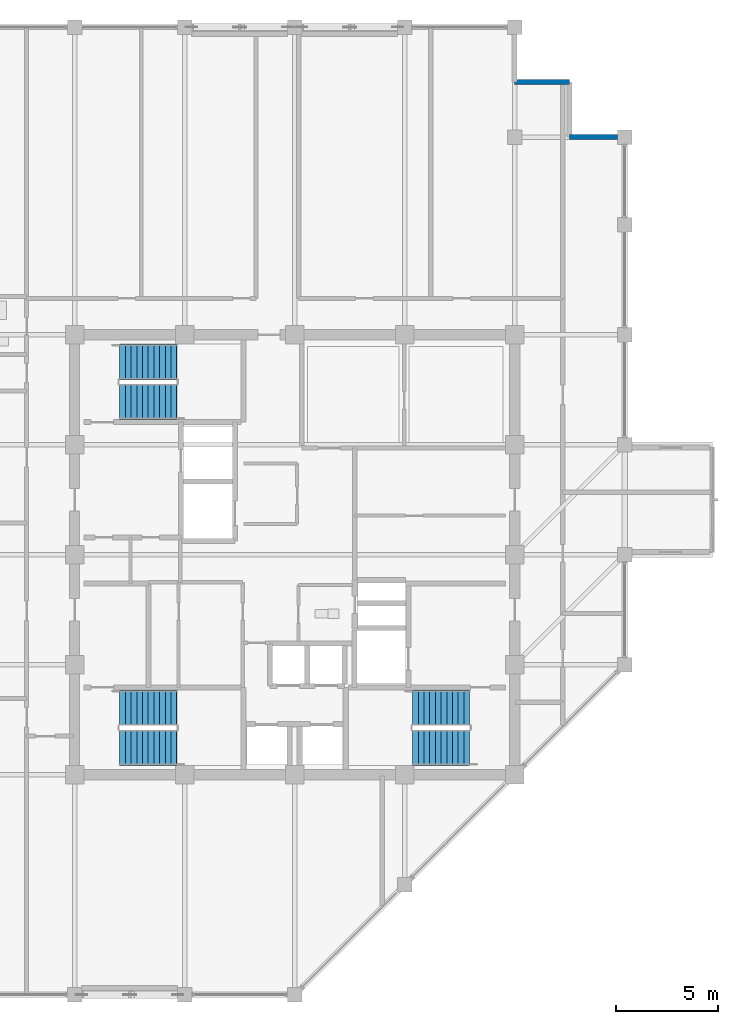
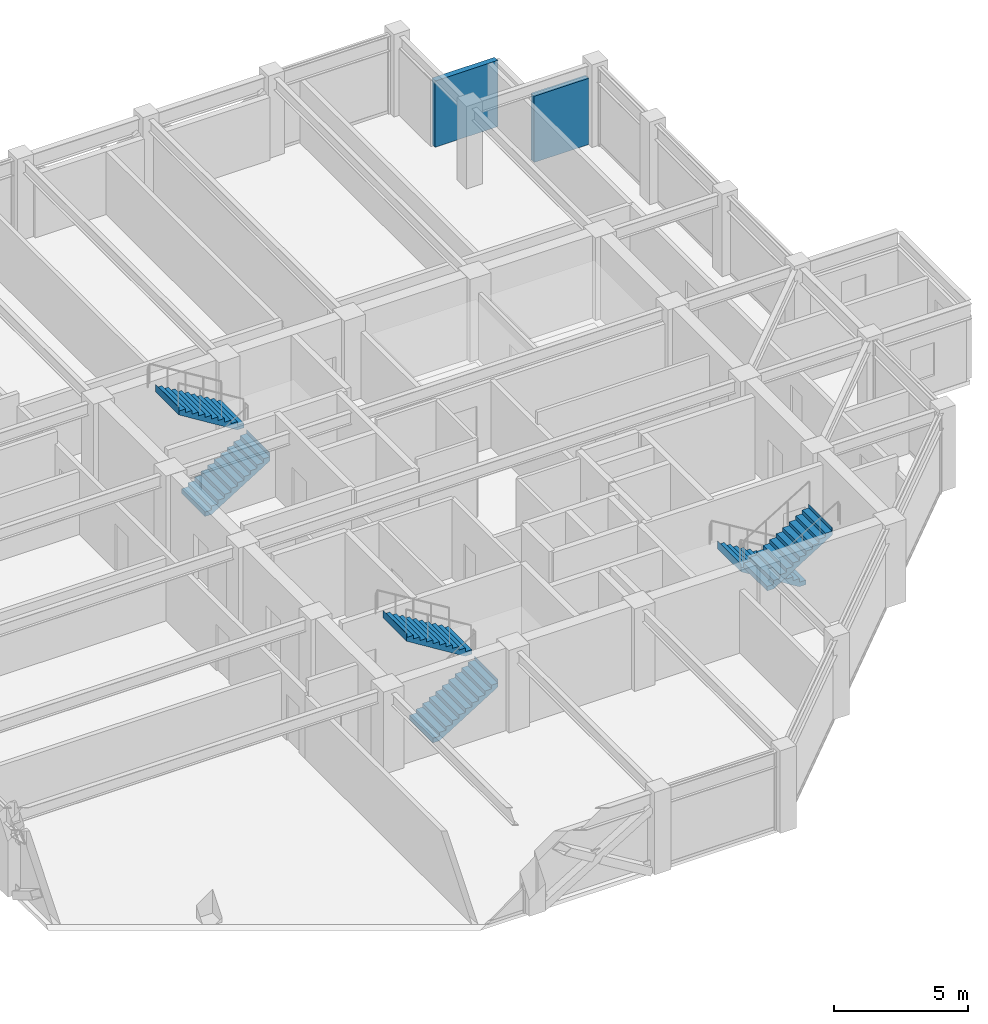
# One storey, part 27 of 30: 6 stair flights, 2 walls, 3 elements without a shape of their own.
"""IFC4 building model written with IfcOpenShell, lengths in metres."""

from ifc_helpers import new_model, si_unit, direction, frame, frame_2d, origin, place, context, subcontext, project, spatial, polyline, rectangle, outline, extrude, material, layer, layer_set, type_object, element, aggregate, save


model = new_model("IFC4")

# Units and contexts
model_context = context("Model", 3, precision=1e-05, world=origin(), true_north=direction((0.0, 1.0)))
body_context = subcontext(model_context, "Body", "Model", "MODEL_VIEW")
ifc_project = project(units=[si_unit("LENGTHUNIT", "METRE"), si_unit("AREAUNIT", "SQUARE_METRE"), si_unit("VOLUMEUNIT", "CUBIC_METRE"), si_unit("PLANEANGLEUNIT", "RADIAN"), si_unit("MASSUNIT", "GRAM", prefix="KILO")], contexts=[model_context])

# Site, building, storey
site_placement = place(None, origin())
site = spatial("IfcSite", under=ifc_project, at=site_placement, CompositionType="ELEMENT")
building_placement = place(site_placement, origin())
building = spatial("IfcBuilding", under=site, at=building_placement, Name="Surkhivell Harbour Commons", CompositionType="ELEMENT")
storey_placement = place(building_placement, frame((0.0, 0.0, 307.5)))
storey = spatial("IfcBuildingStorey", under=building, at=storey_placement, Name="L80", CompositionType="ELEMENT", Elevation=307.5)

# Walls
ifc_material_1 = material(Name="Bronze-ochre cassette precast concrete C45/55", Category="concrete")
ifc_layer = layer(ifc_material_1, 0.239990234375)
ifc_layer_set = layer_set([ifc_layer], Name="Bronze-ochre cassette precast concrete C45/55")
wall_type = type_object("IfcWallType", Name="WAL-EXT-OCH240", PredefinedType="STANDARD", material=ifc_layer_set)
wall_1_placement = place(storey_placement, frame((15.85205078125, 20.5, 0.0), z_axis=(0.0, 0.0, 1.0), x_axis=(-1.0, 0.0, 0.0)))
element("IfcWall", 1, at=wall_1_placement, inside=storey, type_object=wall_type, Name="L80 Serrated Corner Facade Wall 03", PredefinedType="STANDARD", context=body_context, shape_type="SweptSolid", body=[
    extrude(rectangle(XDim=2.35205078125, YDim=0.239990234375, at=frame_2d((1.176025390625, 0.0))), origin(), (0.0, 0.0, 1.0), 3.012939453125),
])
wall_2_placement = place(storey_placement, frame((13.5, 23.199951171875, 0.0), z_axis=(0.0, 0.0, 1.0), x_axis=(-1.0, 0.0, 0.0)))
element("IfcWall", 2, at=wall_2_placement, inside=storey, type_object=wall_type, Name="L80 Serrated Corner Facade Wall 05", PredefinedType="STANDARD", context=body_context, shape_type="SweptSolid", body=[
    extrude(rectangle(XDim=2.699951171875, YDim=0.239990234375, at=frame_2d((1.35009765625, 0.0))), origin(), (0.0, 0.0, 1.0), 3.012939453125),
])

# Stair, stair flights
ifc_material_2 = material(Name="Precast concrete C45/55", Category="concrete")
stair_type = type_object("IfcStairType", Name="STR-DL-375", PredefinedType="HALF_TURN_STAIR", material=ifc_material_2)
stair_1_placement = place(storey_placement, origin())
stair_1 = element("IfcStair", 3, at=stair_1_placement, inside=storey, type_object=stair_type, Name="L80 Core Exit Stair ST1", PredefinedType="HALF_TURN_STAIR")
stair_flight_type = type_object("IfcStairFlightType", Name="STF-DL-375", PredefinedType="STRAIGHT", material=ifc_material_2)
stair_flight_1_placement = place(storey_placement, frame((-8.590087890625, 7.514892578125, 0.0), z_axis=(0.0, 0.0, 1.0), x_axis=(1.0, 0.0, 0.0)))
stair_flight_1 = element("IfcStairFlight", 4, at=stair_flight_1_placement, type_object=stair_flight_type, Name="ST1 flight 1", NumberOfRisers=11, NumberOfTreads=10, PredefinedType="STRAIGHT", RiserHeight=0.170454545, TreadLength=0.28, context=body_context, shape_type="SweptSolid", body=[
    extrude(outline(polyline([(-0.0029296875, -0.034912109375), (-0.0029296875, 0.0), (0.0, 0.0), (0.0, 0.17041015625), (0.280029296875, 0.17041015625), (0.280029296875, 0.3408203125), (0.56005859375, 0.3408203125), (0.56005859375, 0.511474609375), (0.840087890625, 0.511474609375), (0.840087890625, 0.681884765625), (1.1201171875, 0.681884765625), (1.1201171875, 0.852294921875), (1.39990234375, 0.852294921875), (1.39990234375, 1.022705078125), (1.679931640625, 1.022705078125), (1.679931640625, 1.193115234375), (1.9599609375, 1.193115234375), (1.9599609375, 1.363525390625), (2.239990234375, 1.363525390625), (2.239990234375, 1.5341796875), (2.52001953125, 1.5341796875), (2.52001953125, 1.70458984375), (2.800048828125, 1.70458984375), (2.800048828125, 1.875), (2.802978515625, 1.875), (2.802978515625, 1.529052734375), (0.288330078125, -0.034912109375), (-0.0029296875, -0.034912109375)])), frame((0.0, 0.875, 0.0), z_axis=(0.0, -1.0, 0.0), x_axis=(1.0, 0.0, 0.0)), (0.0, 0.0, 1.0), 1.75),
])
stair_flight_2_placement = place(storey_placement, frame((-5.7900390625, 9.465087890625, 1.875), z_axis=(0.0, 0.0, 1.0), x_axis=(-1.0, 0.0, 0.0)))
stair_flight_2 = element("IfcStairFlight", 5, at=stair_flight_2_placement, type_object=stair_flight_type, Name="ST1 flight 2", NumberOfRisers=11, NumberOfTreads=10, PredefinedType="STRAIGHT", RiserHeight=0.170454545, TreadLength=0.28, context=body_context, shape_type="SweptSolid", body=[
    extrude(outline(polyline([(-0.0029296875, -0.034912109375), (-0.0029296875, 0.0), (0.0, 0.0), (0.0, 0.17041015625), (0.280029296875, 0.17041015625), (0.280029296875, 0.3408203125), (0.56005859375, 0.3408203125), (0.56005859375, 0.511474609375), (0.840087890625, 0.511474609375), (0.840087890625, 0.681884765625), (1.1201171875, 0.681884765625), (1.1201171875, 0.852294921875), (1.39990234375, 0.852294921875), (1.39990234375, 1.022705078125), (1.679931640625, 1.022705078125), (1.679931640625, 1.193115234375), (1.9599609375, 1.193115234375), (1.9599609375, 1.363525390625), (2.239990234375, 1.363525390625), (2.239990234375, 1.5341796875), (2.52001953125, 1.5341796875), (2.52001953125, 1.70458984375), (2.800048828125, 1.70458984375), (2.800048828125, 1.875), (2.802978515625, 1.875), (2.802978515625, 1.529052734375), (0.288330078125, -0.034912109375), (-0.0029296875, -0.034912109375)])), frame((0.0, 0.875, 0.0), z_axis=(0.0, -1.0, 0.0), x_axis=(1.0, 0.0, 0.0)), (0.0, 0.0, 1.0), 1.75),
])
aggregate(stair_1, [stair_flight_1, stair_flight_2])

stair_2_placement = place(storey_placement, origin())
stair_2 = element("IfcStair", 6, at=stair_2_placement, inside=storey, type_object=stair_type, Name="L80 Core Exit Stair ST2", PredefinedType="HALF_TURN_STAIR")
stair_flight_3_placement = place(storey_placement, frame((8.590087890625, -7.514892578125, 0.0), z_axis=(0.0, 0.0, 1.0), x_axis=(-1.0, 0.0, 0.0)))
stair_flight_3 = element("IfcStairFlight", 7, at=stair_flight_3_placement, type_object=stair_flight_type, Name="ST2 flight 1", NumberOfRisers=11, NumberOfTreads=10, PredefinedType="STRAIGHT", RiserHeight=0.170454545, TreadLength=0.28, context=body_context, shape_type="SweptSolid", body=[
    extrude(outline(polyline([(-0.0029296875, -0.034912109375), (-0.0029296875, 0.0), (0.0, 0.0), (0.0, 0.17041015625), (0.280029296875, 0.17041015625), (0.280029296875, 0.3408203125), (0.56005859375, 0.3408203125), (0.56005859375, 0.511474609375), (0.840087890625, 0.511474609375), (0.840087890625, 0.681884765625), (1.1201171875, 0.681884765625), (1.1201171875, 0.852294921875), (1.39990234375, 0.852294921875), (1.39990234375, 1.022705078125), (1.679931640625, 1.022705078125), (1.679931640625, 1.193115234375), (1.9599609375, 1.193115234375), (1.9599609375, 1.363525390625), (2.239990234375, 1.363525390625), (2.239990234375, 1.5341796875), (2.52001953125, 1.5341796875), (2.52001953125, 1.70458984375), (2.800048828125, 1.70458984375), (2.800048828125, 1.875), (2.802978515625, 1.875), (2.802978515625, 1.529052734375), (0.288330078125, -0.034912109375), (-0.0029296875, -0.034912109375)])), frame((0.0, 0.875, 0.0), z_axis=(0.0, -1.0, 0.0), x_axis=(1.0, 0.0, 0.0)), (0.0, 0.0, 1.0), 1.75),
])
stair_flight_4_placement = place(storey_placement, frame((5.7900390625, -9.465087890625, 1.875), z_axis=(0.0, 0.0, 1.0), x_axis=(1.0, 0.0, 0.0)))
stair_flight_4 = element("IfcStairFlight", 8, at=stair_flight_4_placement, type_object=stair_flight_type, Name="ST2 flight 2", NumberOfRisers=11, NumberOfTreads=10, PredefinedType="STRAIGHT", RiserHeight=0.170454545, TreadLength=0.28, context=body_context, shape_type="SweptSolid", body=[
    extrude(outline(polyline([(-0.0029296875, -0.034912109375), (-0.0029296875, 0.0), (0.0, 0.0), (0.0, 0.17041015625), (0.280029296875, 0.17041015625), (0.280029296875, 0.3408203125), (0.56005859375, 0.3408203125), (0.56005859375, 0.511474609375), (0.840087890625, 0.511474609375), (0.840087890625, 0.681884765625), (1.1201171875, 0.681884765625), (1.1201171875, 0.852294921875), (1.39990234375, 0.852294921875), (1.39990234375, 1.022705078125), (1.679931640625, 1.022705078125), (1.679931640625, 1.193115234375), (1.9599609375, 1.193115234375), (1.9599609375, 1.363525390625), (2.239990234375, 1.363525390625), (2.239990234375, 1.5341796875), (2.52001953125, 1.5341796875), (2.52001953125, 1.70458984375), (2.800048828125, 1.70458984375), (2.800048828125, 1.875), (2.802978515625, 1.875), (2.802978515625, 1.529052734375), (0.288330078125, -0.034912109375), (-0.0029296875, -0.034912109375)])), frame((0.0, 0.875, 0.0), z_axis=(0.0, -1.0, 0.0), x_axis=(1.0, 0.0, 0.0)), (0.0, 0.0, 1.0), 1.75),
])
aggregate(stair_2, [stair_flight_3, stair_flight_4])

stair_3_placement = place(storey_placement, origin())
stair_3 = element("IfcStair", 9, at=stair_3_placement, inside=storey, type_object=stair_type, Name="L80 Core Exit Stair ST3", PredefinedType="HALF_TURN_STAIR")
stair_flight_5_placement = place(storey_placement, frame((-8.590087890625, -9.465087890625, 0.0), z_axis=(0.0, 0.0, 1.0), x_axis=(1.0, 0.0, 0.0)))
stair_flight_5 = element("IfcStairFlight", 10, at=stair_flight_5_placement, type_object=stair_flight_type, Name="ST3 flight 1", NumberOfRisers=11, NumberOfTreads=10, PredefinedType="STRAIGHT", RiserHeight=0.170454545, TreadLength=0.28, context=body_context, shape_type="SweptSolid", body=[
    extrude(outline(polyline([(-0.0029296875, -0.034912109375), (-0.0029296875, 0.0), (0.0, 0.0), (0.0, 0.17041015625), (0.280029296875, 0.17041015625), (0.280029296875, 0.3408203125), (0.56005859375, 0.3408203125), (0.56005859375, 0.511474609375), (0.840087890625, 0.511474609375), (0.840087890625, 0.681884765625), (1.1201171875, 0.681884765625), (1.1201171875, 0.852294921875), (1.39990234375, 0.852294921875), (1.39990234375, 1.022705078125), (1.679931640625, 1.022705078125), (1.679931640625, 1.193115234375), (1.9599609375, 1.193115234375), (1.9599609375, 1.363525390625), (2.239990234375, 1.363525390625), (2.239990234375, 1.5341796875), (2.52001953125, 1.5341796875), (2.52001953125, 1.70458984375), (2.800048828125, 1.70458984375), (2.800048828125, 1.875), (2.802978515625, 1.875), (2.802978515625, 1.529052734375), (0.288330078125, -0.034912109375), (-0.0029296875, -0.034912109375)])), frame((0.0, 0.875, 0.0), z_axis=(0.0, -1.0, 0.0), x_axis=(1.0, 0.0, 0.0)), (0.0, 0.0, 1.0), 1.75),
])
stair_flight_6_placement = place(storey_placement, frame((-5.7900390625, -7.514892578125, 1.875), z_axis=(0.0, 0.0, 1.0), x_axis=(-1.0, 0.0, 0.0)))
stair_flight_6 = element("IfcStairFlight", 11, at=stair_flight_6_placement, type_object=stair_flight_type, Name="ST3 flight 2", NumberOfRisers=11, NumberOfTreads=10, PredefinedType="STRAIGHT", RiserHeight=0.170454545, TreadLength=0.28, context=body_context, shape_type="SweptSolid", body=[
    extrude(outline(polyline([(-0.0029296875, -0.034912109375), (-0.0029296875, 0.0), (0.0, 0.0), (0.0, 0.17041015625), (0.280029296875, 0.17041015625), (0.280029296875, 0.3408203125), (0.56005859375, 0.3408203125), (0.56005859375, 0.511474609375), (0.840087890625, 0.511474609375), (0.840087890625, 0.681884765625), (1.1201171875, 0.681884765625), (1.1201171875, 0.852294921875), (1.39990234375, 0.852294921875), (1.39990234375, 1.022705078125), (1.679931640625, 1.022705078125), (1.679931640625, 1.193115234375), (1.9599609375, 1.193115234375), (1.9599609375, 1.363525390625), (2.239990234375, 1.363525390625), (2.239990234375, 1.5341796875), (2.52001953125, 1.5341796875), (2.52001953125, 1.70458984375), (2.800048828125, 1.70458984375), (2.800048828125, 1.875), (2.802978515625, 1.875), (2.802978515625, 1.529052734375), (0.288330078125, -0.034912109375), (-0.0029296875, -0.034912109375)])), frame((0.0, 0.875, 0.0), z_axis=(0.0, -1.0, 0.0), x_axis=(1.0, 0.0, 0.0)), (0.0, 0.0, 1.0), 1.75),
])
aggregate(stair_3, [stair_flight_5, stair_flight_6])

save(model, "model.ifc")
